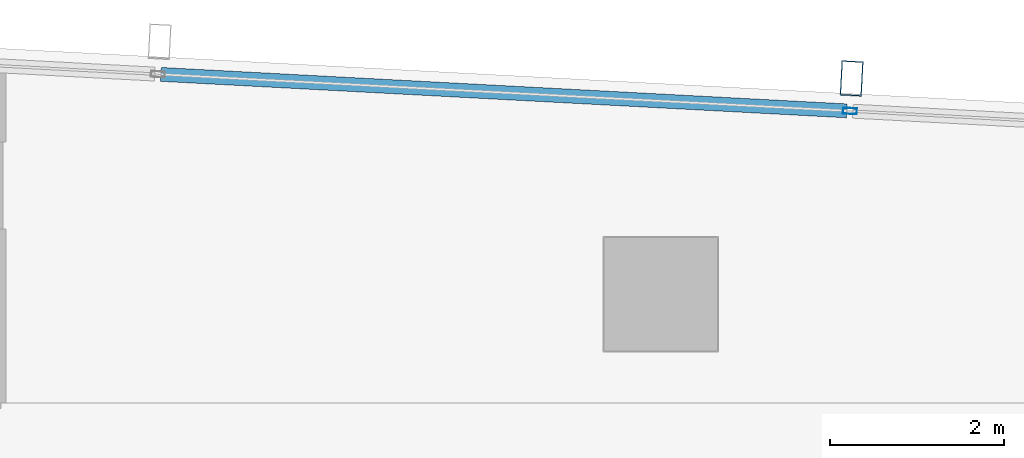
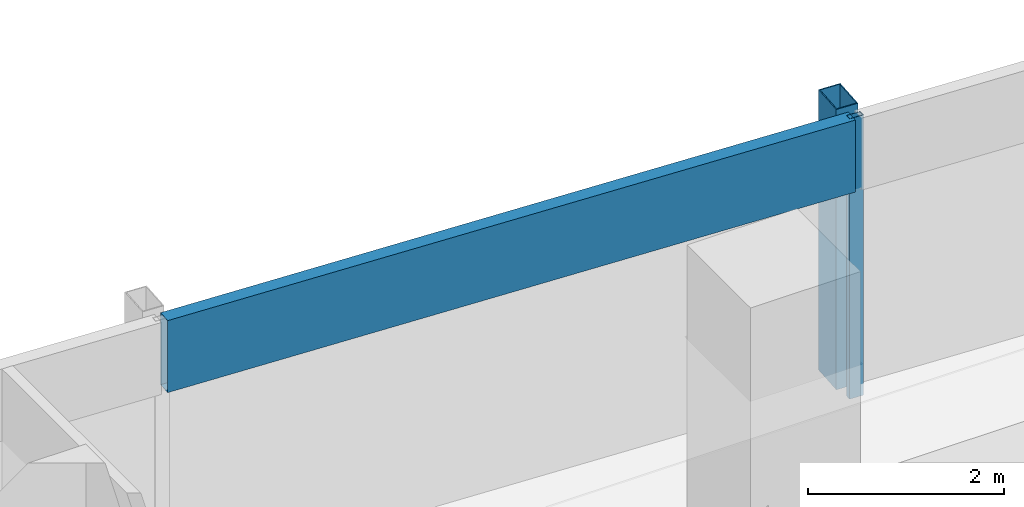
# One storey, part 18 of 30: 3 members, 1 element without a shape of its own.
"""IFC4 building model written with IfcOpenShell, lengths in metres."""

from ifc_helpers import new_model, si_unit, direction, frame, origin, origin_2d, place, context, subcontext, project, spatial, hollow_rectangle, extrude, material, material_profile, profile_set, type_object, element, aggregate, save


model = new_model("IFC4")

# Units and contexts
model_context = context("Model", 3, precision=1e-05, world=origin(), true_north=direction((0.0, 1.0)))
body_context = subcontext(model_context, "Body", "Model", "MODEL_VIEW")
ifc_project = project(units=[si_unit("LENGTHUNIT", "METRE"), si_unit("AREAUNIT", "SQUARE_METRE"), si_unit("VOLUMEUNIT", "CUBIC_METRE"), si_unit("PLANEANGLEUNIT", "RADIAN"), si_unit("MASSUNIT", "GRAM", prefix="KILO")], contexts=[model_context])

# Site, building, storey
site_placement = place(None, origin())
site = spatial("IfcSite", under=ifc_project, at=site_placement, CompositionType="ELEMENT")
building_placement = place(site_placement, origin())
building = spatial("IfcBuilding", under=site, at=building_placement, Name="Rekha Terrace Tower", CompositionType="ELEMENT")
storey_placement = place(building_placement, frame((0.0, 0.0, 265.10009765625)))
storey = spatial("IfcBuildingStorey", under=building, at=storey_placement, Name="L67", CompositionType="ELEMENT", Elevation=265.10009765625)

# Curtain wall, members
ifc_material_1 = material(Name="Aluminium framing", Category="aluminium")
curtain_wall_type = type_object("IfcCurtainWallType", Name="CW3 north unitised glazing", PredefinedType="USERDEFINED", material=ifc_material_1)
curtain_wall_placement = place(storey_placement, origin())
curtain_wall = element("IfcCurtainWall", 1, at=curtain_wall_placement, inside=storey, type_object=curtain_wall_type, Name="CW3 unitised curtain wall", ObjectType="UNITISED CURTAIN WALL", PredefinedType="USERDEFINED")
ifc_material_2 = material(Name="Steel S355 with fluorocarbon finish", Category="steel")
ifc_material_profile_1 = material_profile(ifc_material_2, hollow_rectangle(XDim=0.25, YDim=0.39990234375, WallThickness=0.012451171875, at=origin_2d()), Name="RHS400x250x12.5")
ifc_profile_set_1 = profile_set([ifc_material_profile_1], Name="Steel S355 with fluorocarbon finish")
member_type_1 = type_object("IfcMemberType", Name="BL1 facade blade RHS 400 x 250", PredefinedType="USERDEFINED", material=ifc_profile_set_1)
member_1_placement = place(storey_placement, frame((44.192626953125, 52.87890625, 0.0), z_axis=(0.0, 0.0, 1.0), x_axis=(-0.998590068481, 0.053083661621, 0.0)))
member_1 = element("IfcMember", 2, at=member_1_placement, type_object=member_type_1, Name="Facade blade", ObjectType="FACADE BLADE", PredefinedType="USERDEFINED", context=body_context, shape_type="SweptSolid", body=[
    extrude(hollow_rectangle(XDim=0.25, YDim=0.39990234375, WallThickness=0.012451171875, at=origin_2d()), origin(), (0.0, 0.0, 1.0), 3.5),
])
ifc_material_3 = material(Name="Aluminium mullion section", Category="aluminium")
ifc_material_profile_2 = material_profile(ifc_material_3, hollow_rectangle(XDim=0.070068359375, YDim=0.159912109375, WallThickness=0.00390625, at=origin_2d()), Name="AL RHS 70x160")
ifc_profile_set_2 = profile_set([ifc_material_profile_2], Name="Aluminium mullion section")
member_type_2 = type_object("IfcMemberType", Name="CW3 mullion RHS 70 x 160", PredefinedType="MULLION", material=ifc_profile_set_2)
member_2_placement = place(storey_placement, frame((44.1728515625, 52.50439453125, 0.0), z_axis=(0.0, 0.0, 1.0), x_axis=(-0.053083275524, -0.998590089005, 0.0)))
member_2 = element("IfcMember", 3, at=member_2_placement, type_object=member_type_2, Name="CW3 mullion 3", PredefinedType="MULLION", context=body_context, shape_type="SweptSolid", body=[
    extrude(hollow_rectangle(XDim=0.070068359375, YDim=0.159912109375, WallThickness=0.00390625, at=origin_2d()), origin(), (0.0, 0.0, 1.0), 3.5),
])
ifc_material_4 = material(Name="Insulated aluminium spandrel box", Category="aluminium")
ifc_material_profile_3 = material_profile(ifc_material_4, hollow_rectangle(XDim=0.159912109375, YDim=0.89990234375, WallThickness=0.0029296875, at=origin_2d()), Name="AL SPANDREL BOX 160x900")
ifc_profile_set_3 = profile_set([ifc_material_profile_3], Name="Insulated aluminium spandrel box")
member_type_3 = type_object("IfcMemberType", Name="CW3 spandrel transom 160 x 900", PredefinedType="USERDEFINED", material=ifc_profile_set_3)
member_3_placement = place(storey_placement, frame((44.137939453125, 52.506103515625, 3.0498046875), z_axis=(-0.998589828491, 0.053088176024, 0.0), x_axis=(-0.053088176024, -0.998589828491, 0.0)))
member_3 = element("IfcMember", 4, at=member_3_placement, type_object=member_type_3, Name="CW3 spandrel transom 3", ObjectType="TRANSOM", PredefinedType="USERDEFINED", context=body_context, shape_type="SweptSolid", body=[
    extrude(hollow_rectangle(XDim=0.159912109375, YDim=0.89990234375, WallThickness=0.0029296875, at=origin_2d()), origin(), (0.0, 0.0, 1.0), 7.8916015625),
])
aggregate(curtain_wall, [member_2, member_3, member_1])

save(model, "model.ifc")
